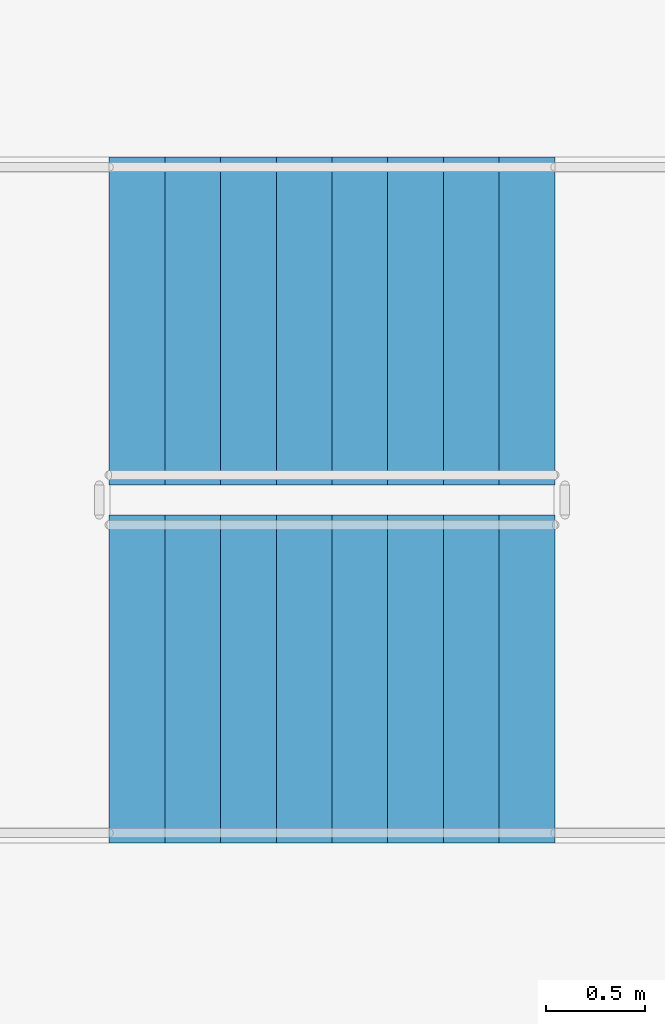
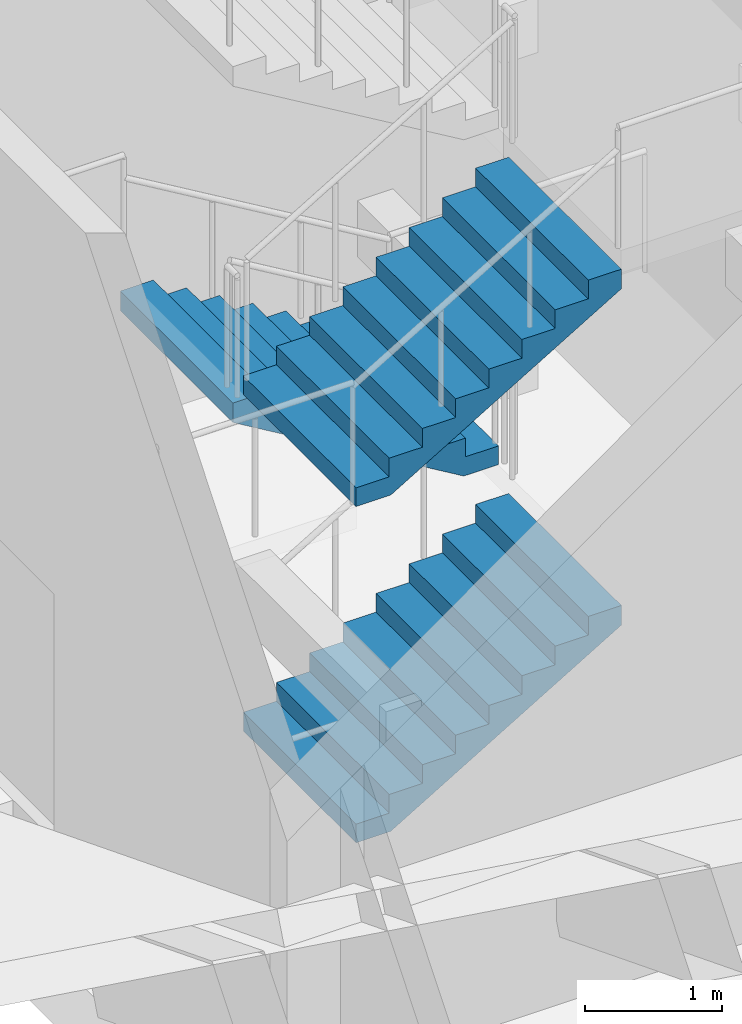
# One storey, part 66 of 125: 3 stair flights, 1 element without a shape of its own.
"""IFC4 building model written with IfcOpenShell, lengths in metres."""

import ifcopenshell
import ifcopenshell.guid

model = None  # the IFC model being written
_history = None  # IfcOwnerHistory: only IFC2X3 demands one
_inside = {}  # id of a spatial element -> (the spatial element, [elements in it])
_under = {}  # id of a project, library or spatial element -> (it, [spatial elements below it])
_declared = {}  # id of a project -> (the project, [libraries it declares])
_typed = {}  # id of a type object -> (the type object, [elements of that type])
_made_of = {}  # id of a material, layer set ... -> (it, [elements and type objects made of it])


def new_model(schema):
    """Start an empty IFC model of exactly this schema.

    Asked for "IFC4X3", IfcOpenShell would pick the latest addendum, in which some entities
    have other attributes; the version numbers below select the first issue.
    IFC2X3 requires an IfcOwnerHistory on every rooted entity: one is made here for all.
    """
    global model, _history
    if schema == "IFC4X3":
        model = ifcopenshell.file(schema_version=(4, 3, 0, 0))
    else:
        model = ifcopenshell.file(schema=schema)
    _inside.clear()
    _under.clear()
    _declared.clear()
    _typed.clear()
    _made_of.clear()
    _history = None
    if model.schema == "IFC2X3":
        org = make("IfcOrganization", Name="unknown")
        user = make(
            "IfcPersonAndOrganization",
            ThePerson=make("IfcPerson", FamilyName="unknown"),
            TheOrganization=org,
        )
        app = make(
            "IfcApplication",
            ApplicationDeveloper=org,
            Version="unknown",
            ApplicationFullName="unknown",
            ApplicationIdentifier="unknown",
        )
        _history = make(
            "IfcOwnerHistory",
            OwningUser=user,
            OwningApplication=app,
            ChangeAction="ADDED",
            CreationDate=0,
        )
    return model


def make(cls, **values):
    """One entity of the class cls with the attributes given. An attribute that is None is left unset."""
    return model.create_entity(
        cls, **{name: value for name, value in values.items() if value is not None}
    )


def rooted(cls, **values):
    """An entity with a GlobalId (a new one), such as an element, a storey or a relation."""
    return make(cls, GlobalId=ifcopenshell.guid.new(), OwnerHistory=_history, **values)


def si_unit(unit_type, name, prefix=None):
    """IfcSIUnit, for example si_unit("LENGTHUNIT", "METRE", prefix="MILLI")."""
    return make("IfcSIUnit", UnitType=unit_type, Prefix=prefix, Name=name)


def assignment(units):
    """IfcUnitAssignment: the units of a project."""
    return None if units is None else make("IfcUnitAssignment", Units=units)


def point(xyz):
    """IfcCartesianPoint."""
    return None if xyz is None else make("IfcCartesianPoint", Coordinates=xyz)


def direction(xyz):
    """IfcDirection."""
    return None if xyz is None else make("IfcDirection", DirectionRatios=xyz)


def frame(location, z_axis=None, x_axis=None):
    """IfcAxis2Placement3D, a coordinate frame: its origin and axes. An axis left out is left unset."""
    return make(
        "IfcAxis2Placement3D",
        Location=point(location),
        Axis=direction(z_axis),
        RefDirection=direction(x_axis),
    )


def origin():
    """The frame at (0, 0, 0) with its axes left unset."""
    return frame((0.0, 0.0, 0.0))


def place(relative_to, where):
    """IfcLocalPlacement: puts the frame where relative to a parent placement (None: the world)."""
    return make(
        "IfcLocalPlacement", PlacementRelTo=relative_to, RelativePlacement=where
    )


def context(
    kind, dimensions, precision=None, world=None, true_north=None, identifier=None
):
    """IfcGeometricRepresentationContext, for example the 3D "Model" context."""
    return make(
        "IfcGeometricRepresentationContext",
        ContextIdentifier=identifier,
        ContextType=kind,
        CoordinateSpaceDimension=dimensions,
        Precision=precision,
        WorldCoordinateSystem=world,
        TrueNorth=true_north,
    )


def subcontext(parent, identifier, kind, view, scale=None):
    """IfcGeometricRepresentationSubContext, for example "Body" below "Model"."""
    return make(
        "IfcGeometricRepresentationSubContext",
        ContextIdentifier=identifier,
        ContextType=kind,
        ParentContext=parent,
        TargetScale=scale,
        TargetView=view,
    )


def project(units=None, contexts=None):
    """IfcProject with its units and contexts."""
    return rooted(
        "IfcProject",
        Name="project",
        RepresentationContexts=contexts,
        UnitsInContext=assignment(units),
    )


def spatial(cls, under=None, at=None, **own):
    """A site, building, storey or space (cls), placed at a placement, below another one or the project."""
    s = rooted(cls, ObjectPlacement=at, **own)
    if under is not None:
        _under.setdefault(under.id(), (under, []))[1].append(s)
    return s


def polyline(points):
    """IfcPolyline through the points."""
    return make("IfcPolyline", Points=[point(p) for p in points])


def outline(outer, holes=None, kind="AREA"):
    """IfcArbitraryClosedProfileDef: a profile drawn as a closed curve; with holes, ...WithVoids."""
    if holes is None:
        return make("IfcArbitraryClosedProfileDef", ProfileType=kind, OuterCurve=outer)
    return make(
        "IfcArbitraryProfileDefWithVoids",
        ProfileType=kind,
        OuterCurve=outer,
        InnerCurves=holes,
    )


def extrude(swept, where, along, depth):
    """IfcExtrudedAreaSolid: the profile swept, set in the frame where, extruded along a direction by depth."""
    return make(
        "IfcExtrudedAreaSolid",
        SweptArea=swept,
        Position=where,
        ExtrudedDirection=direction(along),
        Depth=depth,
    )


def shape(context_of_items, identifier, shape_type, items):
    """IfcShapeRepresentation: the items that make up one representation, for example the "Body"."""
    return make(
        "IfcShapeRepresentation",
        ContextOfItems=context_of_items,
        RepresentationIdentifier=identifier,
        RepresentationType=shape_type,
        Items=items,
    )


def material(Name=None, Category=None):
    """IfcMaterial."""
    return make("IfcMaterial", Name=Name, Category=Category)


def made_of(thing, what):
    """Note that an element or type object is made of a material, layer set ...; save() writes the relation."""
    if what is not None:
        _made_of.setdefault(what.id(), (what, []))[1].append(thing)
    return thing


def type_object(cls, material=None, **own):
    """A type object (cls), such as IfcWallType, which elements share."""
    return made_of(rooted(cls, **own), material)


def element(
    cls,
    number,
    at=None,
    inside=None,
    cuts=None,
    type_object=None,
    material=None,
    context=None,
    identifier="Body",
    shape_type=None,
    held_by="IfcProductDefinitionShape",
    body=None,
    shapes=None,
    **own,
):
    """One element of the class cls, such as IfcWall. Its Tag is "e" and its number.

    at: its placement. inside: the storey or other place that contains it. cuts: it is an
    opening in that element (IfcRelVoidsElement). A single representation is given by context,
    identifier, shape_type and body (its items); several are given by shapes. held_by: the class
    of the entity that holds the representations. save() writes the other relations.
    """
    e = rooted(cls, Tag="e%d" % number, ObjectPlacement=at, **own)
    if body is not None:
        shapes = [shape(context, identifier, shape_type, body)]
    if shapes is not None:
        e.Representation = make(held_by, Representations=shapes)
    if inside is not None:
        _inside.setdefault(inside.id(), (inside, []))[1].append(e)
    if cuts is not None:
        rooted(
            "IfcRelVoidsElement", RelatingBuildingElement=cuts, RelatedOpeningElement=e
        )
    if type_object is not None:
        _typed.setdefault(type_object.id(), (type_object, []))[1].append(e)
    return made_of(e, material)


def aggregate(whole, parts):
    """IfcRelAggregates: a whole, such as a stair, and the parts it consists of."""
    return rooted("IfcRelAggregates", RelatingObject=whole, RelatedObjects=parts)


def save(model, path):
    """Write the relations noted so far, then the file.

    IfcRelAggregates (storeys below a building ...), IfcRelContainedInSpatialStructure (elements
    in a storey), IfcRelDefinesByType, IfcRelAssociatesMaterial and IfcRelDeclares: one each for
    every whole, place, type object, material and project.
    """
    for whole, parts in _under.values():
        aggregate(whole, parts)
    for where, things in _inside.values():
        rooted(
            "IfcRelContainedInSpatialStructure",
            RelatedElements=things,
            RelatingStructure=where,
        )
    for kind, things in _typed.values():
        rooted("IfcRelDefinesByType", RelatedObjects=things, RelatingType=kind)
    for what, things in _made_of.values():
        rooted("IfcRelAssociatesMaterial", RelatedObjects=things, RelatingMaterial=what)
    for by, libraries in _declared.values():
        rooted("IfcRelDeclares", RelatingContext=by, RelatedDefinitions=libraries)
    model.write(path)


model = new_model("IFC4")

# Units and contexts
model_context = context("Model", 3, precision=1e-05, world=origin(), true_north=direction((0.0, 1.0)))
body_context = subcontext(model_context, "Body", "Model", "MODEL_VIEW")
ifc_project = project(units=[si_unit("LENGTHUNIT", "METRE"), si_unit("AREAUNIT", "SQUARE_METRE"), si_unit("VOLUMEUNIT", "CUBIC_METRE"), si_unit("PLANEANGLEUNIT", "RADIAN"), si_unit("MASSUNIT", "GRAM", prefix="KILO")], contexts=[model_context])

# Site, building, storey
site_placement = place(None, origin())
site = spatial("IfcSite", under=ifc_project, at=site_placement, CompositionType="ELEMENT")
building_placement = place(site_placement, origin())
building = spatial("IfcBuilding", under=site, at=building_placement, Name="Sun Court Science Centre", CompositionType="ELEMENT")
storey_placement = place(building_placement, origin())
storey = spatial("IfcBuildingStorey", under=building, at=storey_placement, Name="L00", CompositionType="ELEMENT", Elevation=0.0)

# Stair, stair flights
ifc_material_1 = material(Name="Concrete C25/30", Category="concrete")
stair_type = type_object("IfcStairType", Name="Stair 1500 enclosed half-turn", PredefinedType="HALF_TURN_STAIR", material=ifc_material_1)
stair_placement = place(storey_placement, origin())
stair = element("IfcStair", 1, at=stair_placement, inside=storey, type_object=stair_type, Name="L00 Stair ST2", PredefinedType="HALF_TURN_STAIR")
ifc_material_2 = material(Name="Concrete C25/30", Category="concrete")
stair_flight_type = type_object("IfcStairFlightType", Name="Stair flight 1500 with waist", PredefinedType="STRAIGHT", material=ifc_material_2)
stair_flight_1_placement = place(storey_placement, frame((19.347900390625, 67.10107421875, 0.0), z_axis=(0.0, 0.0, 1.0), x_axis=(1.0, 0.0, 0.0)))
stair_flight_1 = element("IfcStairFlight", 2, at=stair_flight_1_placement, type_object=stair_flight_type, Name="ST2 flight 1", NumberOfRisers=9, NumberOfTreads=8, PredefinedType="STRAIGHT", RiserHeight=0.166666667, TreadLength=0.28, context=body_context, shape_type="SweptSolid", body=[
    extrude(outline(polyline([(0.0, 0.0), (0.0, 0.00244140625), (0.0, 0.0048828125), (0.0, 0.00732421875), (0.0, 0.009765625), (0.0, 0.01220703125), (0.0, 0.0146484375), (0.0, 0.01708984375), (0.0, 0.01953125), (0.0, 0.02197265625), (0.0, 0.0244140625), (0.0, 0.02685546875), (0.0, 0.029296875), (0.0, 0.03173828125), (0.0, 0.0341796875), (0.0, 0.03662109375), (0.0, 0.0390625), (0.0, 0.04150390625), (0.0, 0.0439453125), (0.0, 0.04638671875), (0.0, 0.048828125), (0.0, 0.05126953125), (0.0, 0.0537109375), (0.0, 0.05615234375), (0.0, 0.05859375), (0.0, 0.06103515625), (0.0, 0.0634765625), (0.0, 0.06591796875), (0.0, 0.068359375), (0.0, 0.07080078125), (0.0, 0.0732421875), (0.0, 0.07568359375), (0.0, 0.078125), (0.0, 0.08056640625), (0.0, 0.0830078125), (0.0, 0.08544921875), (0.0, 0.087890625), (0.0, 0.09033203125), (0.0, 0.0927734375), (0.0, 0.09521484375), (0.0, 0.09765625), (0.0, 0.10009765625), (0.0, 0.1025390625), (0.0, 0.10498046875), (0.0, 0.107421875), (0.0, 0.10986328125), (0.0, 0.1123046875), (0.0, 0.11474609375), (0.0, 0.1171875), (0.0, 0.11962890625), (0.0, 0.1220703125), (0.0, 0.12451171875), (0.0, 0.126953125), (0.0, 0.12939453125), (0.0, 0.1318359375), (0.0, 0.13427734375), (0.0, 0.13671875), (0.0, 0.13916015625), (0.0, 0.1416015625), (0.0, 0.14404296875), (0.0, 0.146484375), (0.0, 0.14892578125), (0.0, 0.1513671875), (0.0, 0.15380859375), (0.0, 0.15625), (0.0, 0.15869140625), (0.0, 0.1611328125), (0.0, 0.16357421875), (0.0, 0.166748046875), (0.280029296875, 0.166748046875), (0.280029296875, 0.333251953125), (0.56005859375, 0.333251953125), (0.56005859375, 0.5), (0.840087890625, 0.5), (0.840087890625, 0.666748046875), (1.1201171875, 0.666748046875), (1.1201171875, 0.833251953125), (1.39990234375, 0.833251953125), (1.39990234375, 1.0), (1.679931640625, 1.0), (1.679931640625, 1.166748046875), (1.9599609375, 1.166748046875), (1.9599609375, 1.333251953125), (2.239990234375, 1.333251953125), (2.239990234375, 1.335693359375), (2.239990234375, 1.338134765625), (2.239990234375, 1.340576171875), (2.239990234375, 1.343017578125), (2.239990234375, 1.345458984375), (2.239990234375, 1.347900390625), (2.239990234375, 1.350341796875), (2.239990234375, 1.352783203125), (2.239990234375, 1.355224609375), (2.239990234375, 1.357666015625), (2.239990234375, 1.360107421875), (2.239990234375, 1.362548828125), (2.239990234375, 1.364990234375), (2.239990234375, 1.367431640625), (2.239990234375, 1.369873046875), (2.239990234375, 1.372314453125), (2.239990234375, 1.374755859375), (2.239990234375, 1.377197265625), (2.239990234375, 1.379638671875), (2.239990234375, 1.382080078125), (2.239990234375, 1.384521484375), (2.239990234375, 1.386962890625), (2.239990234375, 1.389404296875), (2.239990234375, 1.391845703125), (2.239990234375, 1.394287109375), (2.239990234375, 1.396728515625), (2.239990234375, 1.399169921875), (2.239990234375, 1.401611328125), (2.239990234375, 1.404052734375), (2.239990234375, 1.406494140625), (2.239990234375, 1.408935546875), (2.239990234375, 1.411376953125), (2.239990234375, 1.413818359375), (2.239990234375, 1.416259765625), (2.239990234375, 1.418701171875), (2.239990234375, 1.421142578125), (2.239990234375, 1.423583984375), (2.239990234375, 1.426025390625), (2.239990234375, 1.428466796875), (2.239990234375, 1.430908203125), (2.239990234375, 1.433349609375), (2.239990234375, 1.435791015625), (2.239990234375, 1.438232421875), (2.239990234375, 1.440673828125), (2.239990234375, 1.443115234375), (2.239990234375, 1.445556640625), (2.239990234375, 1.447998046875), (2.239990234375, 1.450439453125), (2.239990234375, 1.452880859375), (2.239990234375, 1.455322265625), (2.239990234375, 1.457763671875), (2.239990234375, 1.460205078125), (2.239990234375, 1.462646484375), (2.239990234375, 1.465087890625), (2.239990234375, 1.467529296875), (2.239990234375, 1.469970703125), (2.239990234375, 1.472412109375), (2.239990234375, 1.474853515625), (2.239990234375, 1.477294921875), (2.239990234375, 1.479736328125), (2.239990234375, 1.482177734375), (2.239990234375, 1.484619140625), (2.239990234375, 1.487060546875), (2.239990234375, 1.489501953125), (2.239990234375, 1.491943359375), (2.239990234375, 1.494384765625), (2.239990234375, 1.496826171875), (2.239990234375, 1.5), (2.239990234375, 1.49755859375), (2.239990234375, 1.4951171875), (2.239990234375, 1.49267578125), (2.239990234375, 1.490234375), (2.239990234375, 1.48779296875), (2.239990234375, 1.4853515625), (2.239990234375, 1.48291015625), (2.239990234375, 1.48046875), (2.239990234375, 1.47802734375), (2.239990234375, 1.4755859375), (2.239990234375, 1.47314453125), (2.239990234375, 1.470703125), (2.239990234375, 1.46826171875), (2.239990234375, 1.4658203125), (2.239990234375, 1.46337890625), (2.239990234375, 1.4609375), (2.239990234375, 1.45849609375), (2.239990234375, 1.4560546875), (2.239990234375, 1.45361328125), (2.239990234375, 1.451171875), (2.239990234375, 1.44873046875), (2.239990234375, 1.4462890625), (2.239990234375, 1.44384765625), (2.239990234375, 1.44140625), (2.239990234375, 1.43896484375), (2.239990234375, 1.4365234375), (2.239990234375, 1.43408203125), (2.239990234375, 1.431640625), (2.239990234375, 1.42919921875), (2.239990234375, 1.4267578125), (2.239990234375, 1.42431640625), (2.239990234375, 1.421875), (2.239990234375, 1.41943359375), (2.239990234375, 1.4169921875), (2.239990234375, 1.41455078125), (2.239990234375, 1.412109375), (2.239990234375, 1.40966796875), (2.239990234375, 1.4072265625), (2.239990234375, 1.40478515625), (2.239990234375, 1.40234375), (2.239990234375, 1.39990234375), (2.239990234375, 1.3974609375), (2.239990234375, 1.39501953125), (2.239990234375, 1.392578125), (2.239990234375, 1.39013671875), (2.239990234375, 1.3876953125), (2.239990234375, 1.38525390625), (2.239990234375, 1.3828125), (2.239990234375, 1.38037109375), (2.239990234375, 1.3779296875), (2.239990234375, 1.37548828125), (2.239990234375, 1.373046875), (2.239990234375, 1.37060546875), (2.239990234375, 1.3681640625), (2.239990234375, 1.36572265625), (2.239990234375, 1.36328125), (2.239990234375, 1.36083984375), (2.239990234375, 1.3583984375), (2.239990234375, 1.35595703125), (2.239990234375, 1.353515625), (2.239990234375, 1.35107421875), (2.239990234375, 1.3486328125), (2.239990234375, 1.34619140625), (2.239990234375, 1.34375), (2.239990234375, 1.34130859375), (2.239990234375, 1.3388671875), (2.239990234375, 1.33642578125), (2.239990234375, 1.333984375), (2.239990234375, 1.33154296875), (2.239990234375, 1.3291015625), (2.239990234375, 1.32666015625), (2.239990234375, 1.32421875), (2.239990234375, 1.32177734375), (2.239990234375, 1.3193359375), (2.239990234375, 1.31689453125), (2.239990234375, 1.314453125), (2.239990234375, 1.31201171875), (2.239990234375, 1.3095703125), (2.239990234375, 1.30712890625), (2.239990234375, 1.3046875), (2.239990234375, 1.30224609375), (2.239990234375, 1.2998046875), (2.239990234375, 1.29736328125), (2.239990234375, 1.294921875), (2.239990234375, 1.29248046875), (2.239990234375, 1.2900390625), (2.239990234375, 1.28759765625), (2.239990234375, 1.28515625), (2.239990234375, 1.28271484375), (2.239990234375, 1.2802734375), (2.239990234375, 1.27783203125), (2.239990234375, 1.275390625), (2.239990234375, 1.27294921875), (2.239990234375, 1.2705078125), (2.239990234375, 1.26806640625), (2.239990234375, 1.265625), (2.239990234375, 1.26318359375), (2.239990234375, 1.2607421875), (2.239990234375, 1.25830078125), (2.239990234375, 1.255859375), (2.239990234375, 1.25341796875), (2.239990234375, 1.2509765625), (2.239990234375, 1.24853515625), (2.239990234375, 1.24609375), (2.239990234375, 1.24365234375), (2.239990234375, 1.2412109375), (2.239990234375, 1.23876953125), (2.239990234375, 1.236328125), (2.239990234375, 1.23388671875), (2.239990234375, 1.2314453125), (2.239990234375, 1.22900390625), (2.239990234375, 1.2265625), (2.239990234375, 1.22412109375), (2.239990234375, 1.2216796875), (2.239990234375, 1.21923828125), (2.239990234375, 1.216796875), (2.239990234375, 1.21435546875), (2.239990234375, 1.2119140625), (2.239990234375, 1.20947265625), (2.239990234375, 1.20703125), (2.239990234375, 1.20458984375), (2.239990234375, 1.2021484375), (2.239990234375, 1.19970703125), (2.239990234375, 1.197265625), (2.239990234375, 1.19482421875), (2.239990234375, 1.1923828125), (2.239990234375, 1.18994140625), (2.239990234375, 1.1875), (2.239990234375, 1.18505859375), (2.239990234375, 1.1826171875), (2.239990234375, 1.18017578125), (2.239990234375, 1.177734375), (2.239990234375, 1.17529296875), (2.239990234375, 1.1728515625), (2.239990234375, 1.17041015625), (2.239990234375, 1.16796875), (2.239990234375, 1.16552734375), (2.239990234375, 1.1630859375), (2.239990234375, 1.158935546875), (0.29296875, 0.0), (0.0, 0.0)])), frame((0.0, 0.823974609375, 0.0), z_axis=(0.0, -1.0, 0.0), x_axis=(1.0, 0.0, 0.0)), (0.0, 0.0, 1.0), 1.64794921875),
])
stair_flight_2_placement = place(storey_placement, frame((21.587890625, 68.89892578125, 1.5), z_axis=(0.0, 0.0, 1.0), x_axis=(-1.0, 0.0, 0.0)))
stair_flight_2 = element("IfcStairFlight", 3, at=stair_flight_2_placement, type_object=stair_flight_type, Name="ST2 flight 2", NumberOfRisers=9, NumberOfTreads=8, PredefinedType="STRAIGHT", RiserHeight=0.166666667, TreadLength=0.28, context=body_context, shape_type="SweptSolid", body=[
    extrude(outline(polyline([(0.0, 0.0), (0.0, 0.00244140625), (0.0, 0.0048828125), (0.0, 0.00732421875), (0.0, 0.009765625), (0.0, 0.01220703125), (0.0, 0.0146484375), (0.0, 0.01708984375), (0.0, 0.01953125), (0.0, 0.02197265625), (0.0, 0.0244140625), (0.0, 0.02685546875), (0.0, 0.029296875), (0.0, 0.03173828125), (0.0, 0.0341796875), (0.0, 0.03662109375), (0.0, 0.0390625), (0.0, 0.04150390625), (0.0, 0.0439453125), (0.0, 0.04638671875), (0.0, 0.048828125), (0.0, 0.05126953125), (0.0, 0.0537109375), (0.0, 0.05615234375), (0.0, 0.05859375), (0.0, 0.06103515625), (0.0, 0.0634765625), (0.0, 0.06591796875), (0.0, 0.068359375), (0.0, 0.07080078125), (0.0, 0.0732421875), (0.0, 0.07568359375), (0.0, 0.078125), (0.0, 0.08056640625), (0.0, 0.0830078125), (0.0, 0.08544921875), (0.0, 0.087890625), (0.0, 0.09033203125), (0.0, 0.0927734375), (0.0, 0.09521484375), (0.0, 0.09765625), (0.0, 0.10009765625), (0.0, 0.1025390625), (0.0, 0.10498046875), (0.0, 0.107421875), (0.0, 0.10986328125), (0.0, 0.1123046875), (0.0, 0.11474609375), (0.0, 0.1171875), (0.0, 0.11962890625), (0.0, 0.1220703125), (0.0, 0.12451171875), (0.0, 0.126953125), (0.0, 0.12939453125), (0.0, 0.1318359375), (0.0, 0.13427734375), (0.0, 0.13671875), (0.0, 0.13916015625), (0.0, 0.1416015625), (0.0, 0.14404296875), (0.0, 0.146484375), (0.0, 0.14892578125), (0.0, 0.1513671875), (0.0, 0.15380859375), (0.0, 0.15625), (0.0, 0.15869140625), (0.0, 0.1611328125), (0.0, 0.16357421875), (0.0, 0.166748046875), (0.280029296875, 0.166748046875), (0.280029296875, 0.333251953125), (0.56005859375, 0.333251953125), (0.56005859375, 0.5), (0.840087890625, 0.5), (0.840087890625, 0.666748046875), (1.1201171875, 0.666748046875), (1.1201171875, 0.833251953125), (1.39990234375, 0.833251953125), (1.39990234375, 1.0), (1.679931640625, 1.0), (1.679931640625, 1.166748046875), (1.9599609375, 1.166748046875), (1.9599609375, 1.333251953125), (2.239990234375, 1.333251953125), (2.239990234375, 1.335693359375), (2.239990234375, 1.338134765625), (2.239990234375, 1.340576171875), (2.239990234375, 1.343017578125), (2.239990234375, 1.345458984375), (2.239990234375, 1.347900390625), (2.239990234375, 1.350341796875), (2.239990234375, 1.352783203125), (2.239990234375, 1.355224609375), (2.239990234375, 1.357666015625), (2.239990234375, 1.360107421875), (2.239990234375, 1.362548828125), (2.239990234375, 1.364990234375), (2.239990234375, 1.367431640625), (2.239990234375, 1.369873046875), (2.239990234375, 1.372314453125), (2.239990234375, 1.374755859375), (2.239990234375, 1.377197265625), (2.239990234375, 1.379638671875), (2.239990234375, 1.382080078125), (2.239990234375, 1.384521484375), (2.239990234375, 1.386962890625), (2.239990234375, 1.389404296875), (2.239990234375, 1.391845703125), (2.239990234375, 1.394287109375), (2.239990234375, 1.396728515625), (2.239990234375, 1.399169921875), (2.239990234375, 1.401611328125), (2.239990234375, 1.404052734375), (2.239990234375, 1.406494140625), (2.239990234375, 1.408935546875), (2.239990234375, 1.411376953125), (2.239990234375, 1.413818359375), (2.239990234375, 1.416259765625), (2.239990234375, 1.418701171875), (2.239990234375, 1.421142578125), (2.239990234375, 1.423583984375), (2.239990234375, 1.426025390625), (2.239990234375, 1.428466796875), (2.239990234375, 1.430908203125), (2.239990234375, 1.433349609375), (2.239990234375, 1.435791015625), (2.239990234375, 1.438232421875), (2.239990234375, 1.440673828125), (2.239990234375, 1.443115234375), (2.239990234375, 1.445556640625), (2.239990234375, 1.447998046875), (2.239990234375, 1.450439453125), (2.239990234375, 1.452880859375), (2.239990234375, 1.455322265625), (2.239990234375, 1.457763671875), (2.239990234375, 1.460205078125), (2.239990234375, 1.462646484375), (2.239990234375, 1.465087890625), (2.239990234375, 1.467529296875), (2.239990234375, 1.469970703125), (2.239990234375, 1.472412109375), (2.239990234375, 1.474853515625), (2.239990234375, 1.477294921875), (2.239990234375, 1.479736328125), (2.239990234375, 1.482177734375), (2.239990234375, 1.484619140625), (2.239990234375, 1.487060546875), (2.239990234375, 1.489501953125), (2.239990234375, 1.491943359375), (2.239990234375, 1.494384765625), (2.239990234375, 1.496826171875), (2.239990234375, 1.5), (2.239990234375, 1.49755859375), (2.239990234375, 1.4951171875), (2.239990234375, 1.49267578125), (2.239990234375, 1.490234375), (2.239990234375, 1.48779296875), (2.239990234375, 1.4853515625), (2.239990234375, 1.48291015625), (2.239990234375, 1.48046875), (2.239990234375, 1.47802734375), (2.239990234375, 1.4755859375), (2.239990234375, 1.47314453125), (2.239990234375, 1.470703125), (2.239990234375, 1.46826171875), (2.239990234375, 1.4658203125), (2.239990234375, 1.46337890625), (2.239990234375, 1.4609375), (2.239990234375, 1.45849609375), (2.239990234375, 1.4560546875), (2.239990234375, 1.45361328125), (2.239990234375, 1.451171875), (2.239990234375, 1.44873046875), (2.239990234375, 1.4462890625), (2.239990234375, 1.44384765625), (2.239990234375, 1.44140625), (2.239990234375, 1.43896484375), (2.239990234375, 1.4365234375), (2.239990234375, 1.43408203125), (2.239990234375, 1.431640625), (2.239990234375, 1.42919921875), (2.239990234375, 1.4267578125), (2.239990234375, 1.42431640625), (2.239990234375, 1.421875), (2.239990234375, 1.41943359375), (2.239990234375, 1.4169921875), (2.239990234375, 1.41455078125), (2.239990234375, 1.412109375), (2.239990234375, 1.40966796875), (2.239990234375, 1.4072265625), (2.239990234375, 1.40478515625), (2.239990234375, 1.40234375), (2.239990234375, 1.39990234375), (2.239990234375, 1.3974609375), (2.239990234375, 1.39501953125), (2.239990234375, 1.392578125), (2.239990234375, 1.39013671875), (2.239990234375, 1.3876953125), (2.239990234375, 1.38525390625), (2.239990234375, 1.3828125), (2.239990234375, 1.38037109375), (2.239990234375, 1.3779296875), (2.239990234375, 1.37548828125), (2.239990234375, 1.373046875), (2.239990234375, 1.37060546875), (2.239990234375, 1.3681640625), (2.239990234375, 1.36572265625), (2.239990234375, 1.36328125), (2.239990234375, 1.36083984375), (2.239990234375, 1.3583984375), (2.239990234375, 1.35595703125), (2.239990234375, 1.353515625), (2.239990234375, 1.35107421875), (2.239990234375, 1.3486328125), (2.239990234375, 1.34619140625), (2.239990234375, 1.34375), (2.239990234375, 1.34130859375), (2.239990234375, 1.3388671875), (2.239990234375, 1.33642578125), (2.239990234375, 1.333984375), (2.239990234375, 1.33154296875), (2.239990234375, 1.3291015625), (2.239990234375, 1.32666015625), (2.239990234375, 1.32421875), (2.239990234375, 1.32177734375), (2.239990234375, 1.3193359375), (2.239990234375, 1.31689453125), (2.239990234375, 1.314453125), (2.239990234375, 1.31201171875), (2.239990234375, 1.3095703125), (2.239990234375, 1.30712890625), (2.239990234375, 1.3046875), (2.239990234375, 1.30224609375), (2.239990234375, 1.2998046875), (2.239990234375, 1.29736328125), (2.239990234375, 1.294921875), (2.239990234375, 1.29248046875), (2.239990234375, 1.2900390625), (2.239990234375, 1.28759765625), (2.239990234375, 1.28515625), (2.239990234375, 1.28271484375), (2.239990234375, 1.2802734375), (2.239990234375, 1.27783203125), (2.239990234375, 1.275390625), (2.239990234375, 1.27294921875), (2.239990234375, 1.2705078125), (2.239990234375, 1.26806640625), (2.239990234375, 1.265625), (2.239990234375, 1.26318359375), (2.239990234375, 1.2607421875), (2.239990234375, 1.25830078125), (2.239990234375, 1.255859375), (2.239990234375, 1.25341796875), (2.239990234375, 1.2509765625), (2.239990234375, 1.24853515625), (2.239990234375, 1.24609375), (2.239990234375, 1.24365234375), (2.239990234375, 1.2412109375), (2.239990234375, 1.23876953125), (2.239990234375, 1.236328125), (2.239990234375, 1.23388671875), (2.239990234375, 1.2314453125), (2.239990234375, 1.22900390625), (2.239990234375, 1.2265625), (2.239990234375, 1.22412109375), (2.239990234375, 1.2216796875), (2.239990234375, 1.21923828125), (2.239990234375, 1.216796875), (2.239990234375, 1.21435546875), (2.239990234375, 1.2119140625), (2.239990234375, 1.20947265625), (2.239990234375, 1.20703125), (2.239990234375, 1.20458984375), (2.239990234375, 1.2021484375), (2.239990234375, 1.19970703125), (2.239990234375, 1.197265625), (2.239990234375, 1.19482421875), (2.239990234375, 1.1923828125), (2.239990234375, 1.18994140625), (2.239990234375, 1.1875), (2.239990234375, 1.18505859375), (2.239990234375, 1.1826171875), (2.239990234375, 1.18017578125), (2.239990234375, 1.177734375), (2.239990234375, 1.17529296875), (2.239990234375, 1.1728515625), (2.239990234375, 1.17041015625), (2.239990234375, 1.16796875), (2.239990234375, 1.16552734375), (2.239990234375, 1.1630859375), (2.239990234375, 1.158935546875), (0.29296875, 0.0), (0.0, 0.0)])), frame((0.0, 0.823974609375, 0.0), z_axis=(0.0, -1.0, 0.0), x_axis=(1.0, 0.0, 0.0)), (0.0, 0.0, 1.0), 1.64794921875),
])
stair_flight_3_placement = place(storey_placement, frame((19.347900390625, 67.10107421875, 3.0), z_axis=(0.0, 0.0, 1.0), x_axis=(1.0, 0.0, 0.0)))
stair_flight_3 = element("IfcStairFlight", 4, at=stair_flight_3_placement, type_object=stair_flight_type, Name="ST2 flight 3", NumberOfRisers=9, NumberOfTreads=8, PredefinedType="STRAIGHT", RiserHeight=0.166666667, TreadLength=0.28, context=body_context, shape_type="SweptSolid", body=[
    extrude(outline(polyline([(0.0, 0.0), (0.0, 0.00244140625), (0.0, 0.0048828125), (0.0, 0.00732421875), (0.0, 0.009765625), (0.0, 0.01220703125), (0.0, 0.0146484375), (0.0, 0.01708984375), (0.0, 0.01953125), (0.0, 0.02197265625), (0.0, 0.0244140625), (0.0, 0.02685546875), (0.0, 0.029296875), (0.0, 0.03173828125), (0.0, 0.0341796875), (0.0, 0.03662109375), (0.0, 0.0390625), (0.0, 0.04150390625), (0.0, 0.0439453125), (0.0, 0.04638671875), (0.0, 0.048828125), (0.0, 0.05126953125), (0.0, 0.0537109375), (0.0, 0.05615234375), (0.0, 0.05859375), (0.0, 0.06103515625), (0.0, 0.0634765625), (0.0, 0.06591796875), (0.0, 0.068359375), (0.0, 0.07080078125), (0.0, 0.0732421875), (0.0, 0.07568359375), (0.0, 0.078125), (0.0, 0.08056640625), (0.0, 0.0830078125), (0.0, 0.08544921875), (0.0, 0.087890625), (0.0, 0.09033203125), (0.0, 0.0927734375), (0.0, 0.09521484375), (0.0, 0.09765625), (0.0, 0.10009765625), (0.0, 0.1025390625), (0.0, 0.10498046875), (0.0, 0.107421875), (0.0, 0.10986328125), (0.0, 0.1123046875), (0.0, 0.11474609375), (0.0, 0.1171875), (0.0, 0.11962890625), (0.0, 0.1220703125), (0.0, 0.12451171875), (0.0, 0.126953125), (0.0, 0.12939453125), (0.0, 0.1318359375), (0.0, 0.13427734375), (0.0, 0.13671875), (0.0, 0.13916015625), (0.0, 0.1416015625), (0.0, 0.14404296875), (0.0, 0.146484375), (0.0, 0.14892578125), (0.0, 0.1513671875), (0.0, 0.15380859375), (0.0, 0.15625), (0.0, 0.15869140625), (0.0, 0.1611328125), (0.0, 0.16357421875), (0.0, 0.166748046875), (0.280029296875, 0.166748046875), (0.280029296875, 0.333251953125), (0.56005859375, 0.333251953125), (0.56005859375, 0.5), (0.840087890625, 0.5), (0.840087890625, 0.666748046875), (1.1201171875, 0.666748046875), (1.1201171875, 0.833251953125), (1.39990234375, 0.833251953125), (1.39990234375, 1.0), (1.679931640625, 1.0), (1.679931640625, 1.166748046875), (1.9599609375, 1.166748046875), (1.9599609375, 1.333251953125), (2.239990234375, 1.333251953125), (2.239990234375, 1.335693359375), (2.239990234375, 1.338134765625), (2.239990234375, 1.340576171875), (2.239990234375, 1.343017578125), (2.239990234375, 1.345458984375), (2.239990234375, 1.347900390625), (2.239990234375, 1.350341796875), (2.239990234375, 1.352783203125), (2.239990234375, 1.355224609375), (2.239990234375, 1.357666015625), (2.239990234375, 1.360107421875), (2.239990234375, 1.362548828125), (2.239990234375, 1.364990234375), (2.239990234375, 1.367431640625), (2.239990234375, 1.369873046875), (2.239990234375, 1.372314453125), (2.239990234375, 1.374755859375), (2.239990234375, 1.377197265625), (2.239990234375, 1.379638671875), (2.239990234375, 1.382080078125), (2.239990234375, 1.384521484375), (2.239990234375, 1.386962890625), (2.239990234375, 1.389404296875), (2.239990234375, 1.391845703125), (2.239990234375, 1.394287109375), (2.239990234375, 1.396728515625), (2.239990234375, 1.399169921875), (2.239990234375, 1.401611328125), (2.239990234375, 1.404052734375), (2.239990234375, 1.406494140625), (2.239990234375, 1.408935546875), (2.239990234375, 1.411376953125), (2.239990234375, 1.413818359375), (2.239990234375, 1.416259765625), (2.239990234375, 1.418701171875), (2.239990234375, 1.421142578125), (2.239990234375, 1.423583984375), (2.239990234375, 1.426025390625), (2.239990234375, 1.428466796875), (2.239990234375, 1.430908203125), (2.239990234375, 1.433349609375), (2.239990234375, 1.435791015625), (2.239990234375, 1.438232421875), (2.239990234375, 1.440673828125), (2.239990234375, 1.443115234375), (2.239990234375, 1.445556640625), (2.239990234375, 1.447998046875), (2.239990234375, 1.450439453125), (2.239990234375, 1.452880859375), (2.239990234375, 1.455322265625), (2.239990234375, 1.457763671875), (2.239990234375, 1.460205078125), (2.239990234375, 1.462646484375), (2.239990234375, 1.465087890625), (2.239990234375, 1.467529296875), (2.239990234375, 1.469970703125), (2.239990234375, 1.472412109375), (2.239990234375, 1.474853515625), (2.239990234375, 1.477294921875), (2.239990234375, 1.479736328125), (2.239990234375, 1.482177734375), (2.239990234375, 1.484619140625), (2.239990234375, 1.487060546875), (2.239990234375, 1.489501953125), (2.239990234375, 1.491943359375), (2.239990234375, 1.494384765625), (2.239990234375, 1.496826171875), (2.239990234375, 1.5), (2.239990234375, 1.49755859375), (2.239990234375, 1.4951171875), (2.239990234375, 1.49267578125), (2.239990234375, 1.490234375), (2.239990234375, 1.48779296875), (2.239990234375, 1.4853515625), (2.239990234375, 1.48291015625), (2.239990234375, 1.48046875), (2.239990234375, 1.47802734375), (2.239990234375, 1.4755859375), (2.239990234375, 1.47314453125), (2.239990234375, 1.470703125), (2.239990234375, 1.46826171875), (2.239990234375, 1.4658203125), (2.239990234375, 1.46337890625), (2.239990234375, 1.4609375), (2.239990234375, 1.45849609375), (2.239990234375, 1.4560546875), (2.239990234375, 1.45361328125), (2.239990234375, 1.451171875), (2.239990234375, 1.44873046875), (2.239990234375, 1.4462890625), (2.239990234375, 1.44384765625), (2.239990234375, 1.44140625), (2.239990234375, 1.43896484375), (2.239990234375, 1.4365234375), (2.239990234375, 1.43408203125), (2.239990234375, 1.431640625), (2.239990234375, 1.42919921875), (2.239990234375, 1.4267578125), (2.239990234375, 1.42431640625), (2.239990234375, 1.421875), (2.239990234375, 1.41943359375), (2.239990234375, 1.4169921875), (2.239990234375, 1.41455078125), (2.239990234375, 1.412109375), (2.239990234375, 1.40966796875), (2.239990234375, 1.4072265625), (2.239990234375, 1.40478515625), (2.239990234375, 1.40234375), (2.239990234375, 1.39990234375), (2.239990234375, 1.3974609375), (2.239990234375, 1.39501953125), (2.239990234375, 1.392578125), (2.239990234375, 1.39013671875), (2.239990234375, 1.3876953125), (2.239990234375, 1.38525390625), (2.239990234375, 1.3828125), (2.239990234375, 1.38037109375), (2.239990234375, 1.3779296875), (2.239990234375, 1.37548828125), (2.239990234375, 1.373046875), (2.239990234375, 1.37060546875), (2.239990234375, 1.3681640625), (2.239990234375, 1.36572265625), (2.239990234375, 1.36328125), (2.239990234375, 1.36083984375), (2.239990234375, 1.3583984375), (2.239990234375, 1.35595703125), (2.239990234375, 1.353515625), (2.239990234375, 1.35107421875), (2.239990234375, 1.3486328125), (2.239990234375, 1.34619140625), (2.239990234375, 1.34375), (2.239990234375, 1.34130859375), (2.239990234375, 1.3388671875), (2.239990234375, 1.33642578125), (2.239990234375, 1.333984375), (2.239990234375, 1.33154296875), (2.239990234375, 1.3291015625), (2.239990234375, 1.32666015625), (2.239990234375, 1.32421875), (2.239990234375, 1.32177734375), (2.239990234375, 1.3193359375), (2.239990234375, 1.31689453125), (2.239990234375, 1.314453125), (2.239990234375, 1.31201171875), (2.239990234375, 1.3095703125), (2.239990234375, 1.30712890625), (2.239990234375, 1.3046875), (2.239990234375, 1.30224609375), (2.239990234375, 1.2998046875), (2.239990234375, 1.29736328125), (2.239990234375, 1.294921875), (2.239990234375, 1.29248046875), (2.239990234375, 1.2900390625), (2.239990234375, 1.28759765625), (2.239990234375, 1.28515625), (2.239990234375, 1.28271484375), (2.239990234375, 1.2802734375), (2.239990234375, 1.27783203125), (2.239990234375, 1.275390625), (2.239990234375, 1.27294921875), (2.239990234375, 1.2705078125), (2.239990234375, 1.26806640625), (2.239990234375, 1.265625), (2.239990234375, 1.26318359375), (2.239990234375, 1.2607421875), (2.239990234375, 1.25830078125), (2.239990234375, 1.255859375), (2.239990234375, 1.25341796875), (2.239990234375, 1.2509765625), (2.239990234375, 1.24853515625), (2.239990234375, 1.24609375), (2.239990234375, 1.24365234375), (2.239990234375, 1.2412109375), (2.239990234375, 1.23876953125), (2.239990234375, 1.236328125), (2.239990234375, 1.23388671875), (2.239990234375, 1.2314453125), (2.239990234375, 1.22900390625), (2.239990234375, 1.2265625), (2.239990234375, 1.22412109375), (2.239990234375, 1.2216796875), (2.239990234375, 1.21923828125), (2.239990234375, 1.216796875), (2.239990234375, 1.21435546875), (2.239990234375, 1.2119140625), (2.239990234375, 1.20947265625), (2.239990234375, 1.20703125), (2.239990234375, 1.20458984375), (2.239990234375, 1.2021484375), (2.239990234375, 1.19970703125), (2.239990234375, 1.197265625), (2.239990234375, 1.19482421875), (2.239990234375, 1.1923828125), (2.239990234375, 1.18994140625), (2.239990234375, 1.1875), (2.239990234375, 1.18505859375), (2.239990234375, 1.1826171875), (2.239990234375, 1.18017578125), (2.239990234375, 1.177734375), (2.239990234375, 1.17529296875), (2.239990234375, 1.1728515625), (2.239990234375, 1.17041015625), (2.239990234375, 1.16796875), (2.239990234375, 1.16552734375), (2.239990234375, 1.1630859375), (2.239990234375, 1.158935546875), (0.29296875, 0.0), (0.0, 0.0)])), frame((0.0, 0.823974609375, 0.0), z_axis=(0.0, -1.0, 0.0), x_axis=(1.0, 0.0, 0.0)), (0.0, 0.0, 1.0), 1.64794921875),
])
aggregate(stair, [stair_flight_1, stair_flight_2, stair_flight_3])

save(model, "model.ifc")
